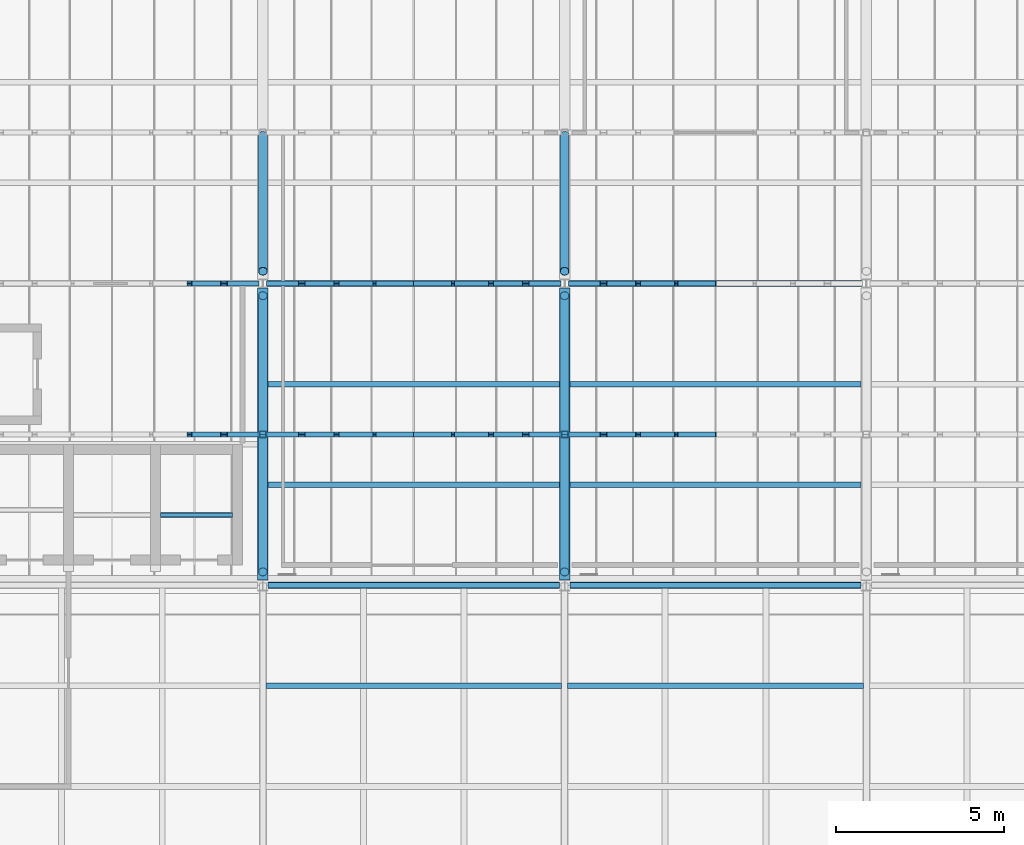
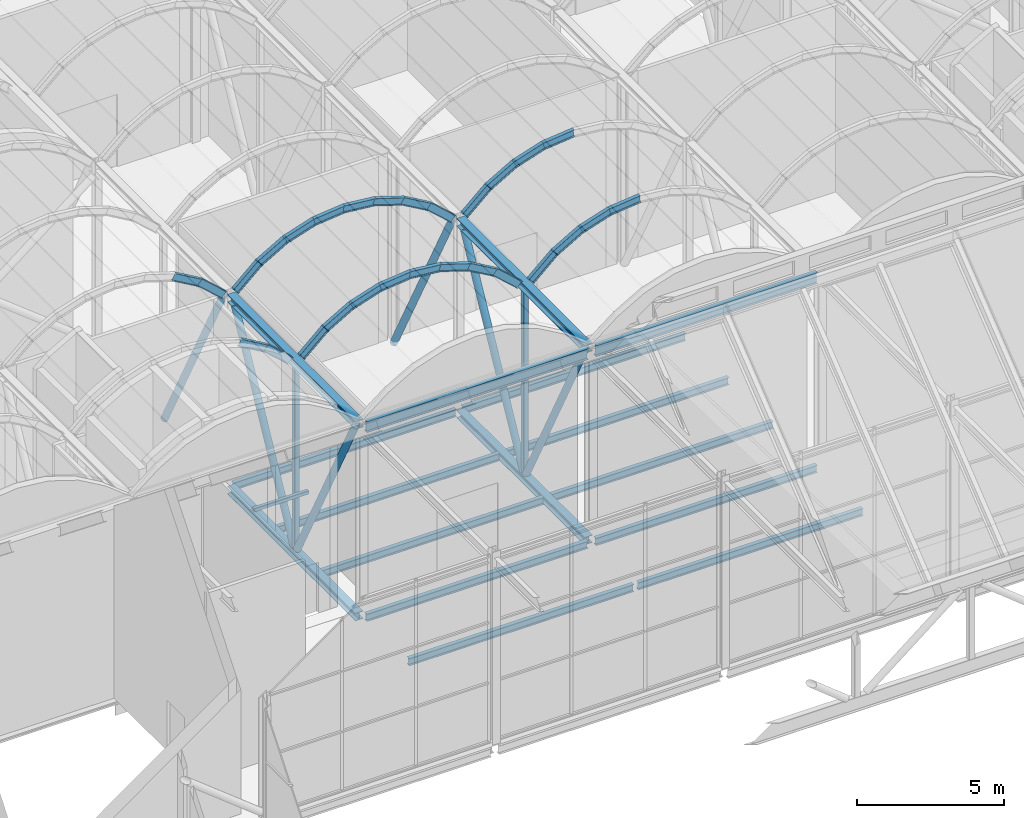
# One storey, part 95 of 144: 36 members, 17 beams.
"""IFC4 building model written with IfcOpenShell, lengths in metres."""

from ifc_helpers import new_model, si_unit, direction, frame, origin, origin_2d, place, context, subcontext, project, spatial, hollow_rectangle, hollow_circle, i_section, extrude, material, material_profile, profile_set, type_object, element, save


model = new_model("IFC4")

# Units and contexts
model_context = context("Model", 3, precision=1e-05, world=origin(), true_north=direction((0.0, 1.0)))
body_context = subcontext(model_context, "Body", "Model", "MODEL_VIEW")
ifc_project = project(units=[si_unit("LENGTHUNIT", "METRE"), si_unit("AREAUNIT", "SQUARE_METRE"), si_unit("VOLUMEUNIT", "CUBIC_METRE"), si_unit("PLANEANGLEUNIT", "RADIAN"), si_unit("MASSUNIT", "GRAM", prefix="KILO")], contexts=[model_context])

# Site, building, storey
site_placement = place(None, origin())
site = spatial("IfcSite", under=ifc_project, at=site_placement, CompositionType="ELEMENT")
building_placement = place(site_placement, origin())
building = spatial("IfcBuilding", under=site, at=building_placement, Name="Shorebreak Coast Museum", CompositionType="ELEMENT")
storey_placement = place(building_placement, frame((0.0, 0.0, 36.0)))
storey = spatial("IfcBuildingStorey", under=building, at=storey_placement, Name="L06", CompositionType="ELEMENT", Elevation=36.0)

# Beams
ifc_material_1 = material(Name="Steel Grade 300", Category="steel")
ifc_material_profile_1 = material_profile(ifc_material_1, i_section(OverallWidth=0.166015625, OverallDepth=0.30712890625, WebThickness=0.006591796875, FlangeThickness=0.01171875, FilletRadius=0.011474609375, at=origin_2d()), Name="310UB46.2")
ifc_profile_set_1 = profile_set([ifc_material_profile_1], Name="Steel Grade 300")
beam_type_1 = type_object("IfcBeamType", Name="Floor girder east-west 310UB46.2", PredefinedType="BEAM", material=ifc_profile_set_1)
for number, where, z_axis, x_axis, name in (
    (1, (72.155517578125, 90.0, -0.32861328125), (1.0, 0.0, 0.0), (0.0, 1.0, 0.0), "Floor girder east-west L06 9L"),
    (2, (81.155517578125, 90.0, -0.32861328125), (1.0, 0.0, 0.0), (0.0, 1.0, 0.0), "Floor girder east-west L06 10L"),
):
    element("IfcBeam", number, at=place(storey_placement, frame(where, z_axis=z_axis, x_axis=x_axis)), inside=storey, type_object=beam_type_1, Name=name, PredefinedType="BEAM", context=body_context, shape_type="SweptSolid", body=[
        extrude(i_section(OverallWidth=0.166015625, OverallDepth=0.30712890625, WebThickness=0.006591796875, FlangeThickness=0.01171875, FilletRadius=0.011474609375, at=origin_2d()), origin(), (0.0, 0.0, 1.0), 8.68896484375),
    ])
for number, where, z_axis, x_axis, name in (
    (3, (72.126953125, 99.0, -0.32861328125), (1.0, 0.0, 0.0), (0.0, 1.0, 0.0), "Floor girder east-west L06 9M"),
    (4, (81.126953125, 99.0, -0.32861328125), (1.0, 0.0, 0.0), (0.0, 1.0, 0.0), "Floor girder east-west L06 10M"),
):
    element("IfcBeam", number, at=place(storey_placement, frame(where, z_axis=z_axis, x_axis=x_axis)), inside=storey, type_object=beam_type_1, Name=name, PredefinedType="BEAM", context=body_context, shape_type="SweptSolid", body=[
        extrude(i_section(OverallWidth=0.166015625, OverallDepth=0.30712890625, WebThickness=0.006591796875, FlangeThickness=0.01171875, FilletRadius=0.011474609375, at=origin_2d()), origin(), (0.0, 0.0, 1.0), 8.74609375),
    ])
ifc_material_2 = material(Name="Steel Grade 300", Category="steel")
ifc_material_profile_2 = material_profile(ifc_material_2, i_section(OverallWidth=0.1650390625, OverallDepth=0.303955078125, WebThickness=0.006103515625, FlangeThickness=0.01025390625, FilletRadius=0.011474609375, at=origin_2d()), Name="310UB40.4")
ifc_profile_set_2 = profile_set([ifc_material_profile_2], Name="Steel Grade 300")
beam_type_2 = type_object("IfcBeamType", Name="Floor joist 310UB40.4", PredefinedType="JOIST", material=ifc_profile_set_2)
for number, where, z_axis, x_axis, name in (
    (5, (72.089111328125, 87.0, -0.326904296875), (1.0, 0.0, 0.0), (0.0, 1.0, 0.0), "Floor joist L06 bay 9K at 6000 mm"),
    (6, (81.089111328125, 87.0, -0.326904296875), (1.0, 0.0, 0.0), (0.0, 1.0, 0.0), "Floor joist L06 bay 10K at 6000 mm"),
):
    element("IfcBeam", number, at=place(storey_placement, frame(where, z_axis=z_axis, x_axis=x_axis)), inside=storey, type_object=beam_type_2, Name=name, PredefinedType="JOIST", context=body_context, shape_type="SweptSolid", body=[
        extrude(i_section(OverallWidth=0.1650390625, OverallDepth=0.303955078125, WebThickness=0.006103515625, FlangeThickness=0.01025390625, FilletRadius=0.011474609375, at=origin_2d()), origin(), (0.0, 0.0, 1.0), 8.82177734375),
    ])
for number, where, z_axis, x_axis, name in (
    (7, (72.155517578125, 93.0, -0.326904296875), (1.0, 0.0, 0.0), (0.0, 1.0, 0.0), "Floor joist L06 bay 9L at 3000 mm"),
    (8, (72.155517578125, 96.0, -0.326904296875), (1.0, 0.0, 0.0), (0.0, 1.0, 0.0), "Floor joist L06 bay 9L at 6000 mm"),
    (9, (81.155517578125, 93.0, -0.326904296875), (1.0, 0.0, 0.0), (0.0, 1.0, 0.0), "Floor joist L06 bay 10L at 3000 mm"),
    (10, (81.155517578125, 96.0, -0.326904296875), (1.0, 0.0, 0.0), (0.0, 1.0, 0.0), "Floor joist L06 bay 10L at 6000 mm"),
):
    element("IfcBeam", number, at=place(storey_placement, frame(where, z_axis=z_axis, x_axis=x_axis)), inside=storey, type_object=beam_type_2, Name=name, PredefinedType="JOIST", context=body_context, shape_type="SweptSolid", body=[
        extrude(i_section(OverallWidth=0.1650390625, OverallDepth=0.303955078125, WebThickness=0.006103515625, FlangeThickness=0.01025390625, FilletRadius=0.011474609375, at=origin_2d()), origin(), (0.0, 0.0, 1.0), 8.68896484375),
    ])
ifc_material_3 = material(Name="Steel Grade 300", Category="steel")
ifc_material_profile_3 = material_profile(ifc_material_3, i_section(OverallWidth=0.18994140625, OverallDepth=0.453857421875, WebThickness=0.008544921875, FlangeThickness=0.0126953125, FilletRadius=0.011474609375, at=origin_2d()), Name="460UB67.1")
ifc_profile_set_3 = profile_set([ifc_material_profile_3], Name="Steel Grade 300")
beam_type_3 = type_object("IfcBeamType", Name="Fold valley girder 460UB67.1", PredefinedType="BEAM", material=ifc_profile_set_3)
for number, where, z_axis, x_axis, name in (
    (11, (72.155517578125, 90.0, 7.593017578125), (1.0, 0.0, 0.0), (0.0, 1.0, 0.0), "Fold valley girder FOLD-X line L bay 9L"),
    (12, (81.155517578125, 90.0, 7.593017578125), (1.0, 0.0, 0.0), (0.0, 1.0, 0.0), "Fold valley girder FOLD-X line L bay 10L"),
):
    element("IfcBeam", number, at=place(storey_placement, frame(where, z_axis=z_axis, x_axis=x_axis)), inside=storey, type_object=beam_type_3, Name=name, PredefinedType="BEAM", context=body_context, shape_type="SweptSolid", body=[
        extrude(i_section(OverallWidth=0.18994140625, OverallDepth=0.453857421875, WebThickness=0.008544921875, FlangeThickness=0.0126953125, FilletRadius=0.011474609375, at=origin_2d()), origin(), (0.0, 0.0, 1.0), 8.68896484375),
    ])
ifc_material_4 = material(Name="Steel Grade C450L0", Category="steel")
ifc_material_profile_4 = material_profile(ifc_material_4, hollow_rectangle(XDim=0.14990234375, YDim=0.14990234375, WallThickness=0.009033203125, InnerFilletRadius=0.013427734375, OuterFilletRadius=0.0224609375, at=origin_2d()), Name="150x150x9.0 SHS")
ifc_profile_set_4 = profile_set([ifc_material_profile_4], Name="Steel Grade C450L0")
beam_type_4 = type_object("IfcBeamType", Name="Lift rail head beam 150x150x9.0 SHS", PredefinedType="BEAM", material=ifc_profile_set_4)
beam_placement = place(storey_placement, frame((68.949951171875, 92.10009765625, 3.97509765625), z_axis=(1.0, 0.0, 0.0), x_axis=(0.0, 1.0, 0.0)))
element("IfcBeam", 13, at=beam_placement, inside=storey, type_object=beam_type_4, Name="Lift P2 rail head beam", PredefinedType="BEAM", context=body_context, shape_type="SweptSolid", body=[
    extrude(hollow_rectangle(XDim=0.14990234375, YDim=0.14990234375, WallThickness=0.009033203125, InnerFilletRadius=0.013427734375, OuterFilletRadius=0.0224609375, at=origin_2d()), origin(), (0.0, 0.0, 1.0), 2.150146484375),
])
ifc_material_5 = material(Name="Steel Grade 300", Category="steel")
ifc_material_profile_5 = material_profile(ifc_material_5, i_section(OverallWidth=0.30908203125, OverallDepth=0.320556640625, WebThickness=0.013916015625, FlangeThickness=0.021728515625, FilletRadius=0.0166015625, at=origin_2d()), Name="310UC137")
ifc_profile_set_5 = profile_set([ifc_material_profile_5], Name="Steel Grade 300")
beam_type_5 = type_object("IfcBeamType", Name="Transfer truss chord 310UC137", PredefinedType="BEAM", material=ifc_profile_set_5)
for number, where, z_axis, x_axis, name in (
    (14, (72.0, 90.16357421875, -0.335205078125), (0.0, 1.0, 0.0), (-1.0, 0.0, 0.0), "Transfer truss TR3 chord C05"),
    (15, (81.0, 90.16357421875, -0.335205078125), (0.0, 1.0, 0.0), (-1.0, 0.0, 0.0), "Transfer truss TR4 chord C05"),
):
    element("IfcBeam", number, at=place(storey_placement, frame(where, z_axis=z_axis, x_axis=x_axis)), inside=storey, type_object=beam_type_5, Name=name, PredefinedType="BEAM", context=body_context, shape_type="SweptSolid", body=[
        extrude(i_section(OverallWidth=0.30908203125, OverallDepth=0.320556640625, WebThickness=0.013916015625, FlangeThickness=0.021728515625, FilletRadius=0.0166015625, at=origin_2d()), origin(), (0.0, 0.0, 1.0), 8.70947265625),
    ])
ifc_material_6 = material(Name="Steel Grade 300", Category="steel")
ifc_material_profile_6 = material_profile(ifc_material_6, i_section(OverallWidth=0.31103515625, OverallDepth=0.3271484375, WebThickness=0.015625, FlangeThickness=0.02490234375, FilletRadius=0.0166015625, at=origin_2d()), Name="310UC158")
ifc_profile_set_6 = profile_set([ifc_material_profile_6], Name="Steel Grade 300")
beam_type_6 = type_object("IfcBeamType", Name="Transfer truss chord 310UC158", PredefinedType="BEAM", material=ifc_profile_set_6)
for number, where, z_axis, x_axis, name in (
    (16, (72.0, 90.16357421875, 7.621337890625), (0.0, 1.0, 0.0), (-1.0, 0.0, 0.0), "Transfer truss TR3 chord C09"),
    (17, (81.0, 90.16357421875, 7.621337890625), (0.0, 1.0, 0.0), (-1.0, 0.0, 0.0), "Transfer truss TR4 chord C09"),
):
    element("IfcBeam", number, at=place(storey_placement, frame(where, z_axis=z_axis, x_axis=x_axis)), inside=storey, type_object=beam_type_6, Name=name, PredefinedType="BEAM", context=body_context, shape_type="SweptSolid", body=[
        extrude(i_section(OverallWidth=0.31103515625, OverallDepth=0.3271484375, WebThickness=0.015625, FlangeThickness=0.02490234375, FilletRadius=0.0166015625, at=origin_2d()), origin(), (0.0, 0.0, 1.0), 8.70947265625),
    ])

# Members
ifc_material_7 = material(Name="Steel Grade C350L0", Category="steel")
ifc_material_profile_7 = material_profile(ifc_material_7, hollow_circle(Radius=0.136474609375, WallThickness=0.00927734375, at=origin_2d()), Name="273.1x9.3 CHS")
ifc_profile_set_7 = profile_set([ifc_material_profile_7], Name="Steel Grade C350L0")
member_type_1 = type_object("IfcMemberType", Name="Transfer truss diagonal 273.1x9.3 CHS", PredefinedType="BRACE", material=ifc_profile_set_7)
member_1_placement = place(storey_placement, frame((72.0, 94.415771484375, -0.175048828125), z_axis=(0.0, -0.465641431585, 0.884973478242), x_axis=(1.0, 0.0, 0.0)))
element("IfcMember", 18, at=member_1_placement, inside=storey, type_object=member_type_1, Name="Transfer truss TR3 diagonal D10", PredefinedType="BRACE", context=body_context, shape_type="SweptSolid", body=[
    extrude(hollow_circle(Radius=0.136474609375, WallThickness=0.00927734375, at=origin_2d()), origin(), (0.0, 0.0, 1.0), 8.625),
])
for number, where, z_axis, x_axis, name in (
    (19, (72.0, 94.585205078125, -0.175048828125), (0.0, 0.468802638879, 0.883302941114), (-1.0, 0.0, 0.0), "Transfer truss TR3 diagonal D11"),
    (20, (72.0, 103.414794921875, -0.175048828125), (0.0, -0.468802638879, 0.883302941114), (1.0, 0.0, 0.0), "Transfer truss TR3 diagonal D12"),
):
    element("IfcMember", number, at=place(storey_placement, frame(where, z_axis=z_axis, x_axis=x_axis)), inside=storey, type_object=member_type_1, Name=name, PredefinedType="BRACE", context=body_context, shape_type="SweptSolid", body=[
        extrude(hollow_circle(Radius=0.136474609375, WallThickness=0.00927734375, at=origin_2d()), origin(), (0.0, 0.0, 1.0), 8.64111328125),
    ])
member_2_placement = place(storey_placement, frame((81.0, 94.415771484375, -0.175048828125), z_axis=(0.0, -0.465641431585, 0.884973478242), x_axis=(1.0, 0.0, 0.0)))
element("IfcMember", 21, at=member_2_placement, inside=storey, type_object=member_type_1, Name="Transfer truss TR4 diagonal D10", PredefinedType="BRACE", context=body_context, shape_type="SweptSolid", body=[
    extrude(hollow_circle(Radius=0.136474609375, WallThickness=0.00927734375, at=origin_2d()), origin(), (0.0, 0.0, 1.0), 8.625),
])
for number, where, z_axis, x_axis, name in (
    (22, (81.0, 94.585205078125, -0.175048828125), (0.0, 0.468802638879, 0.883302941114), (-1.0, 0.0, 0.0), "Transfer truss TR4 diagonal D11"),
    (23, (81.0, 103.414794921875, -0.175048828125), (0.0, -0.468802638879, 0.883302941114), (1.0, 0.0, 0.0), "Transfer truss TR4 diagonal D12"),
):
    element("IfcMember", number, at=place(storey_placement, frame(where, z_axis=z_axis, x_axis=x_axis)), inside=storey, type_object=member_type_1, Name=name, PredefinedType="BRACE", context=body_context, shape_type="SweptSolid", body=[
        extrude(hollow_circle(Radius=0.136474609375, WallThickness=0.00927734375, at=origin_2d()), origin(), (0.0, 0.0, 1.0), 8.64111328125),
    ])
ifc_material_8 = material(Name="Steel Grade C450L0", Category="steel")
ifc_material_profile_8 = material_profile(ifc_material_8, hollow_rectangle(XDim=0.199951171875, YDim=0.199951171875, WallThickness=0.009033203125, InnerFilletRadius=0.013427734375, OuterFilletRadius=0.0224609375, at=origin_2d()), Name="200x200x9.0 SHS")
ifc_profile_set_8 = profile_set([ifc_material_profile_8], Name="Steel Grade C450L0")
member_type_2 = type_object("IfcMemberType", Name="Transfer truss strut 200x200x9.0 SHS", PredefinedType="STRUT", material=ifc_profile_set_8)
for number, where, z_axis, x_axis, name in (
    (24, (72.0, 94.5, -0.175048828125), (0.0, 0.0, 1.0), (1.0, 0.0, 0.0), "Transfer truss TR3 strut V08"),
    (25, (81.0, 94.5, -0.175048828125), (0.0, 0.0, 1.0), (1.0, 0.0, 0.0), "Transfer truss TR4 strut V08"),
):
    element("IfcMember", number, at=place(storey_placement, frame(where, z_axis=z_axis, x_axis=x_axis)), inside=storey, type_object=member_type_2, Name=name, PredefinedType="STRUT", context=body_context, shape_type="SweptSolid", body=[
        extrude(hollow_rectangle(XDim=0.199951171875, YDim=0.199951171875, WallThickness=0.009033203125, InnerFilletRadius=0.013427734375, OuterFilletRadius=0.0224609375, at=origin_2d()), origin(), (0.0, 0.0, 1.0), 7.6328125),
    ])
ifc_material_9 = material(Name="Steel Grade 300", Category="steel")
ifc_material_profile_9 = material_profile(ifc_material_9, i_section(OverallWidth=0.14892578125, OverallDepth=0.298095703125, WebThickness=0.005615234375, FlangeThickness=0.008056640625, FilletRadius=0.012939453125, at=origin_2d()), Name="310UB32.0")
ifc_profile_set_9 = profile_set([ifc_material_profile_9], Name="Steel Grade 300")
member_type_3 = type_object("IfcMemberType", Name="Vault arch rib 310UB32.0", PredefinedType="RAFTER", material=ifc_profile_set_9)
for number, where, z_axis, x_axis, name in (
    (26, (69.80615234375, 94.5, 9.16455078125), (0.866444596228, 0.0, -0.499273233478), (0.0, 1.0, 0.0), "Vault arch rib V2 line 01 facet 7"),
    (27, (69.80615234375, 99.0, 9.16455078125), (0.866444596228, 0.0, -0.499273233478), (0.0, 1.0, 0.0), "Vault arch rib V2 line 02 facet 7"),
):
    element("IfcMember", number, at=place(storey_placement, frame(where, z_axis=z_axis, x_axis=x_axis)), inside=storey, type_object=member_type_3, Name=name, PredefinedType="RAFTER", context=body_context, shape_type="SweptSolid", body=[
        extrude(i_section(OverallWidth=0.14892578125, OverallDepth=0.298095703125, WebThickness=0.005615234375, FlangeThickness=0.008056640625, FilletRadius=0.012939453125, at=origin_2d()), origin(), (0.0, 0.0, 1.0), 1.223388671875),
    ])
for number, where, z_axis, x_axis, name in (
    (28, (70.841064453125, 94.5, 8.572021484375), (0.743894909598, 0.0, -0.668296613394), (0.0, 1.0, 0.0), "Vault arch rib V2 line 01 facet 8"),
    (29, (70.841064453125, 99.0, 8.572021484375), (0.743894909598, 0.0, -0.668296613394), (0.0, 1.0, 0.0), "Vault arch rib V2 line 02 facet 8"),
    (30, (72.21240234375, 94.5, 7.7216796875), (0.743894909598, 0.0, 0.668296613394), (0.0, 1.0, 0.0), "Vault arch rib V3 line 01 facet 1"),
    (31, (72.21240234375, 99.0, 7.7216796875), (0.743894909598, 0.0, 0.668296613394), (0.0, 1.0, 0.0), "Vault arch rib V3 line 02 facet 1"),
):
    element("IfcMember", number, at=place(storey_placement, frame(where, z_axis=z_axis, x_axis=x_axis)), inside=storey, type_object=member_type_3, Name=name, PredefinedType="RAFTER", context=body_context, shape_type="SweptSolid", body=[
        extrude(i_section(OverallWidth=0.14892578125, OverallDepth=0.298095703125, WebThickness=0.005615234375, FlangeThickness=0.008056640625, FilletRadius=0.012939453125, at=origin_2d()), origin(), (0.0, 0.0, 1.0), 1.2724609375),
    ])
for number, where, z_axis, x_axis, name in (
    (32, (73.1337890625, 94.5, 8.5537109375), (0.866444596228, 0.0, 0.499273233478), (0.0, 1.0, 0.0), "Vault arch rib V3 line 01 facet 2"),
    (33, (73.1337890625, 99.0, 8.5537109375), (0.866444596228, 0.0, 0.499273233478), (0.0, 1.0, 0.0), "Vault arch rib V3 line 02 facet 2"),
    (34, (74.165283203125, 94.5, 9.152099609375), (0.951225984169, 0.0, 0.308494938436), (0.0, 1.0, 0.0), "Vault arch rib V3 line 01 facet 3"),
    (35, (74.165283203125, 99.0, 9.152099609375), (0.951225984169, 0.0, 0.308494938436), (0.0, 1.0, 0.0), "Vault arch rib V3 line 02 facet 3"),
    (36, (75.298828125, 94.5, 9.52294921875), (0.994539296345, 0.0, 0.104362771266), (0.0, 1.0, 0.0), "Vault arch rib V3 line 01 facet 4"),
    (37, (75.298828125, 99.0, 9.52294921875), (0.994539296345, 0.0, 0.104362771266), (0.0, 1.0, 0.0), "Vault arch rib V3 line 02 facet 4"),
    (38, (76.484375, 94.5, 9.650634765625), (0.994539296345, 0.0, -0.104362771266), (0.0, 1.0, 0.0), "Vault arch rib V3 line 01 facet 5"),
    (39, (76.484375, 99.0, 9.650634765625), (0.994539296345, 0.0, -0.104362771266), (0.0, 1.0, 0.0), "Vault arch rib V3 line 02 facet 5"),
    (40, (77.6708984375, 94.5, 9.529541015625), (0.951225984169, 0.0, -0.308494938436), (0.0, 1.0, 0.0), "Vault arch rib V3 line 01 facet 6"),
    (41, (77.6708984375, 99.0, 9.529541015625), (0.951225984169, 0.0, -0.308494938436), (0.0, 1.0, 0.0), "Vault arch rib V3 line 02 facet 6"),
    (42, (78.80615234375, 94.5, 9.16455078125), (0.866444596228, 0.0, -0.499273233478), (0.0, 1.0, 0.0), "Vault arch rib V3 line 01 facet 7"),
    (43, (78.80615234375, 99.0, 9.16455078125), (0.866444596228, 0.0, -0.499273233478), (0.0, 1.0, 0.0), "Vault arch rib V3 line 02 facet 7"),
):
    element("IfcMember", number, at=place(storey_placement, frame(where, z_axis=z_axis, x_axis=x_axis)), inside=storey, type_object=member_type_3, Name=name, PredefinedType="RAFTER", context=body_context, shape_type="SweptSolid", body=[
        extrude(i_section(OverallWidth=0.14892578125, OverallDepth=0.298095703125, WebThickness=0.005615234375, FlangeThickness=0.008056640625, FilletRadius=0.012939453125, at=origin_2d()), origin(), (0.0, 0.0, 1.0), 1.223388671875),
    ])
for number, where, z_axis, x_axis, name in (
    (44, (79.841064453125, 94.5, 8.572021484375), (0.743894909598, 0.0, -0.668296613394), (0.0, 1.0, 0.0), "Vault arch rib V3 line 01 facet 8"),
    (45, (79.841064453125, 99.0, 8.572021484375), (0.743894909598, 0.0, -0.668296613394), (0.0, 1.0, 0.0), "Vault arch rib V3 line 02 facet 8"),
    (46, (81.21240234375, 94.5, 7.7216796875), (0.743894909598, 0.0, 0.668296613394), (0.0, 1.0, 0.0), "Vault arch rib V4 line 01 facet 1"),
    (47, (81.21240234375, 99.0, 7.7216796875), (0.743894909598, 0.0, 0.668296613394), (0.0, 1.0, 0.0), "Vault arch rib V4 line 02 facet 1"),
):
    element("IfcMember", number, at=place(storey_placement, frame(where, z_axis=z_axis, x_axis=x_axis)), inside=storey, type_object=member_type_3, Name=name, PredefinedType="RAFTER", context=body_context, shape_type="SweptSolid", body=[
        extrude(i_section(OverallWidth=0.14892578125, OverallDepth=0.298095703125, WebThickness=0.005615234375, FlangeThickness=0.008056640625, FilletRadius=0.012939453125, at=origin_2d()), origin(), (0.0, 0.0, 1.0), 1.2724609375),
    ])
for number, where, z_axis, x_axis, name in (
    (48, (82.1337890625, 94.5, 8.5537109375), (0.866444596228, 0.0, 0.499273233478), (0.0, 1.0, 0.0), "Vault arch rib V4 line 01 facet 2"),
    (49, (82.1337890625, 99.0, 8.5537109375), (0.866444596228, 0.0, 0.499273233478), (0.0, 1.0, 0.0), "Vault arch rib V4 line 02 facet 2"),
    (50, (83.165283203125, 94.5, 9.152099609375), (0.951225984169, 0.0, 0.308494938436), (0.0, 1.0, 0.0), "Vault arch rib V4 line 01 facet 3"),
    (51, (83.165283203125, 99.0, 9.152099609375), (0.951225984169, 0.0, 0.308494938436), (0.0, 1.0, 0.0), "Vault arch rib V4 line 02 facet 3"),
    (52, (84.298828125, 94.5, 9.52294921875), (0.994539296345, 0.0, 0.104362771266), (0.0, 1.0, 0.0), "Vault arch rib V4 line 01 facet 4"),
    (53, (84.298828125, 99.0, 9.52294921875), (0.994539296345, 0.0, 0.104362771266), (0.0, 1.0, 0.0), "Vault arch rib V4 line 02 facet 4"),
):
    element("IfcMember", number, at=place(storey_placement, frame(where, z_axis=z_axis, x_axis=x_axis)), inside=storey, type_object=member_type_3, Name=name, PredefinedType="RAFTER", context=body_context, shape_type="SweptSolid", body=[
        extrude(i_section(OverallWidth=0.14892578125, OverallDepth=0.298095703125, WebThickness=0.005615234375, FlangeThickness=0.008056640625, FilletRadius=0.012939453125, at=origin_2d()), origin(), (0.0, 0.0, 1.0), 1.223388671875),
    ])

save(model, "model.ifc")
